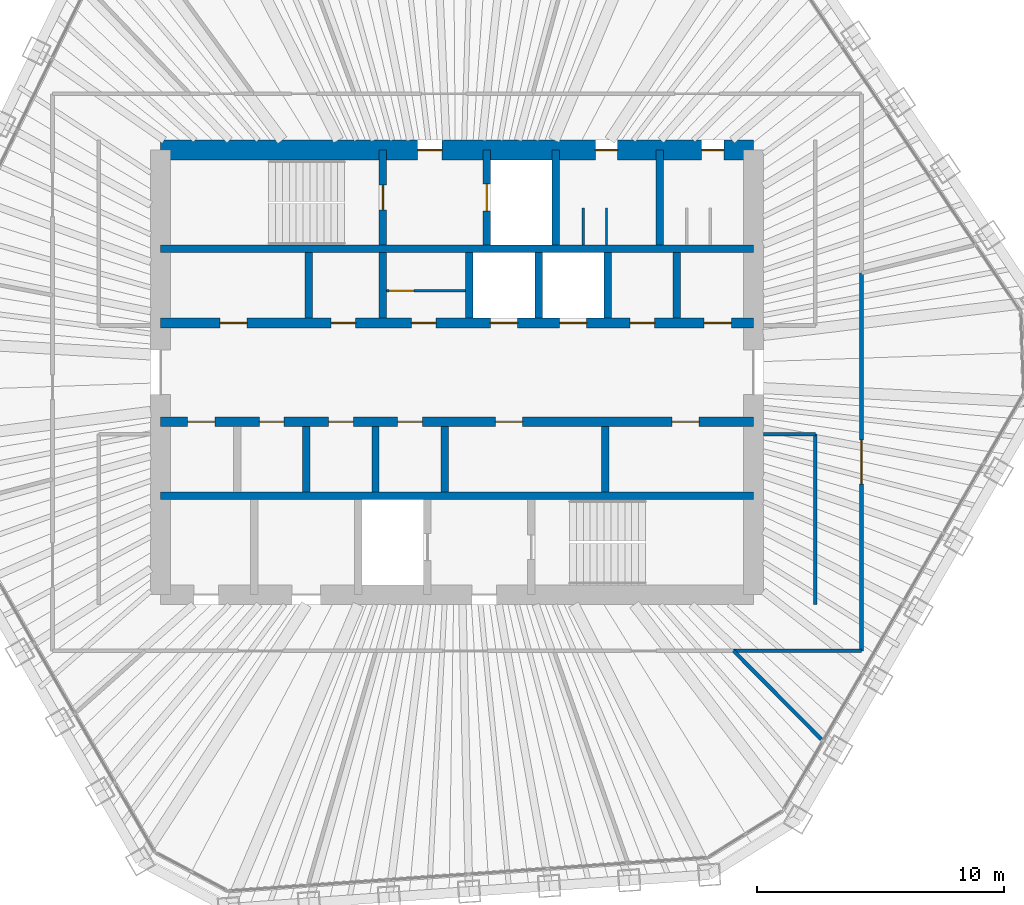
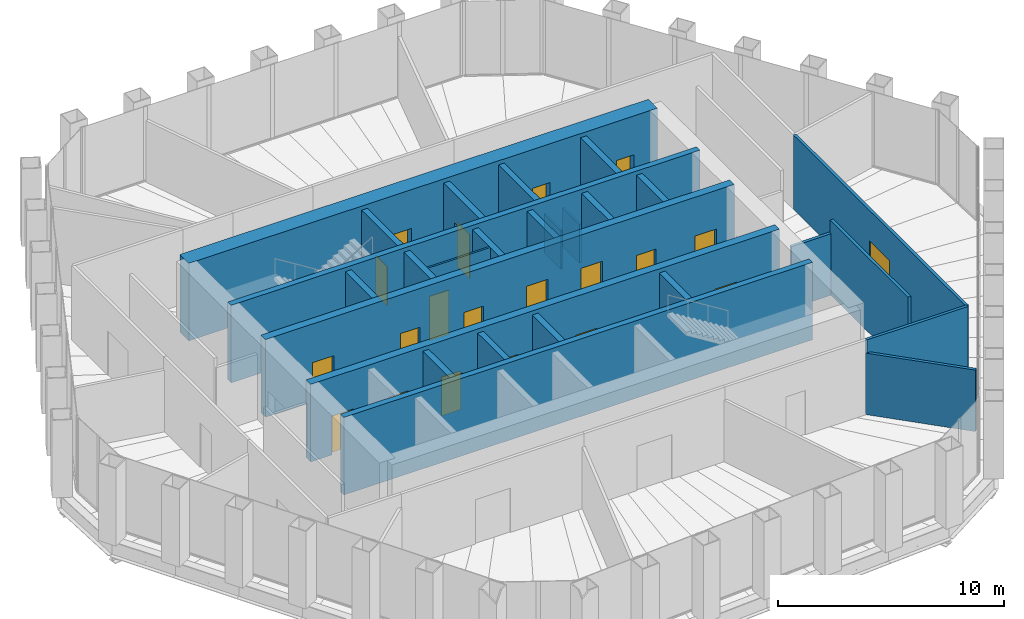
# One storey, part 12 of 14: 27 walls, 20 doors, 20 openings.
"""IFC4 building model written with IfcOpenShell, lengths in metres."""

from ifc_helpers import new_model, si_unit, direction, frame, frame_2d, origin, place, context, subcontext, project, spatial, rectangle, extrude, material, layer, layer_set, type_object, element, fill, save


model = new_model("IFC4")

# Units and contexts
model_context = context("Model", 3, precision=1e-05, world=origin(), true_north=direction((0.0, 1.0)))
body_context = subcontext(model_context, "Body", "Model", "MODEL_VIEW")
ifc_project = project(units=[si_unit("LENGTHUNIT", "METRE"), si_unit("AREAUNIT", "SQUARE_METRE"), si_unit("VOLUMEUNIT", "CUBIC_METRE"), si_unit("PLANEANGLEUNIT", "RADIAN"), si_unit("MASSUNIT", "GRAM", prefix="KILO")], contexts=[model_context])

# Site, building, storey
site_placement = place(None, origin())
site = spatial("IfcSite", under=ifc_project, at=site_placement, CompositionType="ELEMENT")
building_placement = place(site_placement, origin())
building = spatial("IfcBuilding", under=site, at=building_placement, Name="Qingtian Harvest Tower", CompositionType="ELEMENT")
storey_placement = place(building_placement, frame((0.0, 0.0, 320.800048828125)))
storey = spatial("IfcBuildingStorey", under=building, at=storey_placement, Name="L71", CompositionType="ELEMENT", Elevation=320.800048828125)

# Walls
ifc_material_1 = material(Name="Concrete fc' 70 MPa", Category="concrete")
ifc_layer_1 = layer(ifc_material_1, 0.300048828125)
ifc_layer_set_1 = layer_set([ifc_layer_1], Name="Core inner wall RC5 300")
wall_type_1 = type_object("IfcWallType", Name="Core inner wall RC5 300", PredefinedType="SHEAR", material=ifc_layer_set_1)
for number, where, z_axis, x_axis, name in (
    (1, (-12.0, 5.0, 0.0), (0.0, 0.0, 1.0), (1.0, 0.0, 0.0), "Core wall IN5 L71"),
    (2, (-12.0, -5.0, 0.0), (0.0, 0.0, 1.0), (1.0, 0.0, 0.0), "Core wall IS5 L71"),
):
    element("IfcWall", number, at=place(storey_placement, frame(where, z_axis=z_axis, x_axis=x_axis)), inside=storey, type_object=wall_type_1, Name=name, PredefinedType="SHEAR", context=body_context, shape_type="SweptSolid", body=[
        extrude(rectangle(XDim=24.0, YDim=0.300048828125, at=frame_2d((12.0, 0.0))), origin(), (0.0, 0.0, 1.0), 4.199951171875),
    ])

# Wall, openings, doors
ifc_material_2 = material(Name="Concrete fc' 70 MPa", Category="concrete")
ifc_layer_2 = layer(ifc_material_2, 0.39990234375)
ifc_layer_set_2 = layer_set([ifc_layer_2], Name="Core inner web RC6 400")
wall_type_2 = type_object("IfcWallType", Name="Core inner web RC6 400", PredefinedType="SHEAR", material=ifc_layer_set_2)
wall_1_placement = place(storey_placement, frame((-12.0, 2.0, 0.0), z_axis=(0.0, 0.0, 1.0), x_axis=(1.0, 0.0, 0.0)))
wall_1 = element("IfcWall", 3, at=wall_1_placement, inside=storey, type_object=wall_type_2, Name="Core wall IN2 L71", PredefinedType="SHEAR", context=body_context, shape_type="SweptSolid", body=[
    extrude(rectangle(XDim=24.0, YDim=0.39990234375, at=frame_2d((12.0, 0.0))), origin(), (0.0, 0.0, 1.0), 4.199951171875),
])
opening_1_placement = place(wall_1_placement, frame((2.39990234375, 0.0, 0.0)))
opening_1 = element("IfcOpeningElement", 4, at=opening_1_placement, cuts=wall_1, Name="Opening FD4", PredefinedType="OPENING", context=body_context, shape_type="SweptSolid", body=[
    extrude(rectangle(XDim=1.10009765625, YDim=2.10009765625, at=frame_2d((0.550048828125, 1.050048828125))), frame((0.0, 0.2099609375, 0.0), z_axis=(0.0, -1.0, 0.0), x_axis=(1.0, 0.0, 0.0)), (0.0, 0.0, 1.0), 0.419921875),
])
opening_2_placement = place(wall_1_placement, frame((22.0, 0.0, 0.0)))
opening_2 = element("IfcOpeningElement", 5, at=opening_2_placement, cuts=wall_1, Name="Opening FD4", PredefinedType="OPENING", context=body_context, shape_type="SweptSolid", body=[
    extrude(rectangle(XDim=1.10009765625, YDim=2.10009765625, at=frame_2d((0.550048828125, 1.050048828125))), frame((0.0, 0.2099609375, 0.0), z_axis=(0.0, -1.0, 0.0), x_axis=(1.0, 0.0, 0.0)), (0.0, 0.0, 1.0), 0.419921875),
])
opening_3_placement = place(wall_1_placement, frame((10.14990234375, 0.0, 0.0)))
opening_3 = element("IfcOpeningElement", 6, at=opening_3_placement, cuts=wall_1, Name="Opening FD1", PredefinedType="OPENING", context=body_context, shape_type="SweptSolid", body=[
    extrude(rectangle(XDim=1.0, YDim=2.10009765625, at=frame_2d((0.5, 1.050048828125))), frame((0.0, 0.2099609375, 0.0), z_axis=(0.0, -1.0, 0.0), x_axis=(1.0, 0.0, 0.0)), (0.0, 0.0, 1.0), 0.419921875),
])
opening_4_placement = place(wall_1_placement, frame((6.89990234375, 0.0, 0.0)))
opening_4 = element("IfcOpeningElement", 7, at=opening_4_placement, cuts=wall_1, Name="Opening FD1", PredefinedType="OPENING", context=body_context, shape_type="SweptSolid", body=[
    extrude(rectangle(XDim=1.0, YDim=2.10009765625, at=frame_2d((0.5, 1.050048828125))), frame((0.0, 0.2099609375, 0.0), z_axis=(0.0, -1.0, 0.0), x_axis=(1.0, 0.0, 0.0)), (0.0, 0.0, 1.0), 0.419921875),
])
opening_5_placement = place(wall_1_placement, frame((13.35009765625, 0.0, 0.0)))
opening_5 = element("IfcOpeningElement", 8, at=opening_5_placement, cuts=wall_1, Name="Opening LD1", PredefinedType="OPENING", context=body_context, shape_type="SweptSolid", body=[
    extrude(rectangle(XDim=1.10009765625, YDim=2.39990234375, at=frame_2d((0.550048828125, 1.199951171875))), frame((0.0, 0.2099609375, 0.0), z_axis=(0.0, -1.0, 0.0), x_axis=(1.0, 0.0, 0.0)), (0.0, 0.0, 1.0), 0.419921875),
])
opening_6_placement = place(wall_1_placement, frame((16.14990234375, 0.0, 0.0)))
opening_6 = element("IfcOpeningElement", 9, at=opening_6_placement, cuts=wall_1, Name="Opening LD1", PredefinedType="OPENING", context=body_context, shape_type="SweptSolid", body=[
    extrude(rectangle(XDim=1.10009765625, YDim=2.39990234375, at=frame_2d((0.550048828125, 1.199951171875))), frame((0.0, 0.2099609375, 0.0), z_axis=(0.0, -1.0, 0.0), x_axis=(1.0, 0.0, 0.0)), (0.0, 0.0, 1.0), 0.419921875),
])
opening_7_placement = place(wall_1_placement, frame((19.0, 0.0, 0.0)))
opening_7 = element("IfcOpeningElement", 10, at=opening_7_placement, cuts=wall_1, Name="Opening FD1", PredefinedType="OPENING", context=body_context, shape_type="SweptSolid", body=[
    extrude(rectangle(XDim=1.0, YDim=2.10009765625, at=frame_2d((0.5, 1.050048828125))), frame((0.0, 0.2099609375, 0.0), z_axis=(0.0, -1.0, 0.0), x_axis=(1.0, 0.0, 0.0)), (0.0, 0.0, 1.0), 0.419921875),
])
ifc_material_3 = material(Name="Steel-faced door leaf", Category="steel")
door_type_1 = type_object("IfcDoorType", Name="Fire door FD1 single 1 HR", OperationType="SINGLE_SWING_LEFT", PredefinedType="DOOR", material=ifc_material_3)
door_1_placement = place(opening_3_placement, origin())
door_1 = element("IfcDoor", 11, at=door_1_placement, inside=storey, type_object=door_type_1, Name="STA door L71", OperationType="SINGLE_SWING_LEFT", OverallHeight=2.10009765625, OverallWidth=1.0, PredefinedType="DOOR", context=body_context, shape_type="SweptSolid", body=[
    extrude(rectangle(XDim=1.0, YDim=2.10009765625, at=frame_2d((0.5, 1.050048828125))), frame((0.0, 0.02490234375, 0.0), z_axis=(0.0, -1.0, 0.0), x_axis=(1.0, 0.0, 0.0)), (0.0, 0.0, 1.0), 0.050048828125),
])
fill(opening_3, door_1)
door_2_placement = place(opening_4_placement, origin())
door_2 = element("IfcDoor", 12, at=door_2_placement, inside=storey, type_object=door_type_1, Name="Pantry door L71", OperationType="SINGLE_SWING_RIGHT", OverallHeight=2.10009765625, OverallWidth=1.0, PredefinedType="DOOR", context=body_context, shape_type="SweptSolid", body=[
    extrude(rectangle(XDim=1.0, YDim=2.10009765625, at=frame_2d((0.5, 1.050048828125))), frame((0.0, 0.02490234375, 0.0), z_axis=(0.0, -1.0, 0.0), x_axis=(1.0, 0.0, 0.0)), (0.0, 0.0, 1.0), 0.050048828125),
])
fill(opening_4, door_2)
door_3_placement = place(opening_7_placement, origin())
door_3 = element("IfcDoor", 13, at=door_3_placement, inside=storey, type_object=door_type_1, Name="Tool store door L71", OperationType="SINGLE_SWING_RIGHT", OverallHeight=2.10009765625, OverallWidth=1.0, PredefinedType="DOOR", context=body_context, shape_type="SweptSolid", body=[
    extrude(rectangle(XDim=1.0, YDim=2.10009765625, at=frame_2d((0.5, 1.050048828125))), frame((0.0, 0.02490234375, 0.0), z_axis=(0.0, -1.0, 0.0), x_axis=(1.0, 0.0, 0.0)), (0.0, 0.0, 1.0), 0.050048828125),
])
fill(opening_7, door_3)
ifc_material_4 = material(Name="Steel-faced door leaf", Category="steel")
door_type_2 = type_object("IfcDoorType", Name="Fire door FD4 single 2 HR", OperationType="SINGLE_SWING_LEFT", PredefinedType="DOOR", material=ifc_material_4)
door_4_placement = place(opening_1_placement, origin())
door_4 = element("IfcDoor", 14, at=door_4_placement, inside=storey, type_object=door_type_2, Name="RA door L71", OperationType="SINGLE_SWING_LEFT", OverallHeight=2.10009765625, OverallWidth=1.10009765625, PredefinedType="DOOR", context=body_context, shape_type="SweptSolid", body=[
    extrude(rectangle(XDim=1.10009765625, YDim=2.10009765625, at=frame_2d((0.550048828125, 1.050048828125))), frame((0.0, 0.02490234375, 0.0), z_axis=(0.0, -1.0, 0.0), x_axis=(1.0, 0.0, 0.0)), (0.0, 0.0, 1.0), 0.050048828125),
])
fill(opening_1, door_4)
door_5_placement = place(opening_2_placement, origin())
door_5 = element("IfcDoor", 15, at=door_5_placement, inside=storey, type_object=door_type_2, Name="AHU door L71", OperationType="SINGLE_SWING_RIGHT", OverallHeight=2.10009765625, OverallWidth=1.10009765625, PredefinedType="DOOR", context=body_context, shape_type="SweptSolid", body=[
    extrude(rectangle(XDim=1.10009765625, YDim=2.10009765625, at=frame_2d((0.550048828125, 1.050048828125))), frame((0.0, 0.02490234375, 0.0), z_axis=(0.0, -1.0, 0.0), x_axis=(1.0, 0.0, 0.0)), (0.0, 0.0, 1.0), 0.050048828125),
])
fill(opening_2, door_5)
ifc_material_5 = material(Name="Stainless steel lift landing door", Category="steel")
door_type_3 = type_object("IfcDoorType", Name="Lift landing door LD1 1 HR", OperationType="DOUBLE_DOOR_SLIDING", PredefinedType="DOOR", material=ifc_material_5)
door_6_placement = place(opening_5_placement, origin())
door_6 = element("IfcDoor", 16, at=door_6_placement, inside=storey, type_object=door_type_3, Name="PLD1 landing door L71", OperationType="DOUBLE_DOOR_SLIDING", OverallHeight=2.39990234375, OverallWidth=1.10009765625, PredefinedType="DOOR", context=body_context, shape_type="SweptSolid", body=[
    extrude(rectangle(XDim=1.10009765625, YDim=2.39990234375, at=frame_2d((0.550048828125, 1.199951171875))), frame((0.0, 0.02490234375, 0.0), z_axis=(0.0, -1.0, 0.0), x_axis=(1.0, 0.0, 0.0)), (0.0, 0.0, 1.0), 0.050048828125),
])
fill(opening_5, door_6)
door_7_placement = place(opening_6_placement, origin())
door_7 = element("IfcDoor", 17, at=door_7_placement, inside=storey, type_object=door_type_3, Name="PLD2 landing door L71", OperationType="DOUBLE_DOOR_SLIDING", OverallHeight=2.39990234375, OverallWidth=1.10009765625, PredefinedType="DOOR", context=body_context, shape_type="SweptSolid", body=[
    extrude(rectangle(XDim=1.10009765625, YDim=2.39990234375, at=frame_2d((0.550048828125, 1.199951171875))), frame((0.0, 0.02490234375, 0.0), z_axis=(0.0, -1.0, 0.0), x_axis=(1.0, 0.0, 0.0)), (0.0, 0.0, 1.0), 0.050048828125),
])
fill(opening_6, door_7)

wall_2_placement = place(storey_placement, frame((-12.0, -2.0, 0.0), z_axis=(0.0, 0.0, 1.0), x_axis=(1.0, 0.0, 0.0)))
wall_2 = element("IfcWall", 18, at=wall_2_placement, inside=storey, type_object=wall_type_2, Name="Core wall IS2 L71", PredefinedType="SHEAR", context=body_context, shape_type="SweptSolid", body=[
    extrude(rectangle(XDim=24.0, YDim=0.39990234375, at=frame_2d((12.0, 0.0))), origin(), (0.0, 0.0, 1.0), 4.199951171875),
])
opening_8_placement = place(wall_2_placement, frame((1.10009765625, 0.0, 0.0)))
opening_8 = element("IfcOpeningElement", 19, at=opening_8_placement, cuts=wall_2, Name="Opening FD4", PredefinedType="OPENING", context=body_context, shape_type="SweptSolid", body=[
    extrude(rectangle(XDim=1.10009765625, YDim=2.10009765625, at=frame_2d((0.550048828125, 1.050048828125))), frame((0.0, 0.2099609375, 0.0), z_axis=(0.0, -1.0, 0.0), x_axis=(1.0, 0.0, 0.0)), (0.0, 0.0, 1.0), 0.419921875),
])
opening_9_placement = place(wall_2_placement, frame((13.550048828125, 0.0, 0.0)))
opening_9 = element("IfcOpeningElement", 20, at=opening_9_placement, cuts=wall_2, Name="Opening FD4", PredefinedType="OPENING", context=body_context, shape_type="SweptSolid", body=[
    extrude(rectangle(XDim=1.10009765625, YDim=2.10009765625, at=frame_2d((0.550048828125, 1.050048828125))), frame((0.0, 0.2099609375, 0.0), z_axis=(0.0, -1.0, 0.0), x_axis=(1.0, 0.0, 0.0)), (0.0, 0.0, 1.0), 0.419921875),
])
opening_10_placement = place(wall_2_placement, frame((20.699951171875, 0.0, 0.0)))
opening_10 = element("IfcOpeningElement", 21, at=opening_10_placement, cuts=wall_2, Name="Opening FD4", PredefinedType="OPENING", context=body_context, shape_type="SweptSolid", body=[
    extrude(rectangle(XDim=1.10009765625, YDim=2.10009765625, at=frame_2d((0.550048828125, 1.050048828125))), frame((0.0, 0.2099609375, 0.0), z_axis=(0.0, -1.0, 0.0), x_axis=(1.0, 0.0, 0.0)), (0.0, 0.0, 1.0), 0.419921875),
])
opening_11_placement = place(wall_2_placement, frame((4.0, 0.0, 0.0)))
opening_11 = element("IfcOpeningElement", 22, at=opening_11_placement, cuts=wall_2, Name="Opening FD1", PredefinedType="OPENING", context=body_context, shape_type="SweptSolid", body=[
    extrude(rectangle(XDim=1.0, YDim=2.10009765625, at=frame_2d((0.5, 1.050048828125))), frame((0.0, 0.2099609375, 0.0), z_axis=(0.0, -1.0, 0.0), x_axis=(1.0, 0.0, 0.0)), (0.0, 0.0, 1.0), 0.419921875),
])
opening_12_placement = place(wall_2_placement, frame((6.800048828125, 0.0, 0.0)))
opening_12 = element("IfcOpeningElement", 23, at=opening_12_placement, cuts=wall_2, Name="Opening FD1", PredefinedType="OPENING", context=body_context, shape_type="SweptSolid", body=[
    extrude(rectangle(XDim=1.0, YDim=2.10009765625, at=frame_2d((0.5, 1.050048828125))), frame((0.0, 0.2099609375, 0.0), z_axis=(0.0, -1.0, 0.0), x_axis=(1.0, 0.0, 0.0)), (0.0, 0.0, 1.0), 0.419921875),
])
opening_13_placement = place(wall_2_placement, frame((9.60009765625, 0.0, 0.0)))
opening_13 = element("IfcOpeningElement", 24, at=opening_13_placement, cuts=wall_2, Name="Opening FD1", PredefinedType="OPENING", context=body_context, shape_type="SweptSolid", body=[
    extrude(rectangle(XDim=1.0, YDim=2.10009765625, at=frame_2d((0.5, 1.050048828125))), frame((0.0, 0.2099609375, 0.0), z_axis=(0.0, -1.0, 0.0), x_axis=(1.0, 0.0, 0.0)), (0.0, 0.0, 1.0), 0.419921875),
])
door_8_placement = place(opening_11_placement, origin())
door_8 = element("IfcDoor", 25, at=door_8_placement, inside=storey, type_object=door_type_1, Name="IT room door L71", OperationType="SINGLE_SWING_RIGHT", OverallHeight=2.10009765625, OverallWidth=1.0, PredefinedType="DOOR", context=body_context, shape_type="SweptSolid", body=[
    extrude(rectangle(XDim=1.0, YDim=2.10009765625, at=frame_2d((0.5, 1.050048828125))), frame((0.0, 0.02490234375, 0.0), z_axis=(0.0, -1.0, 0.0), x_axis=(1.0, 0.0, 0.0)), (0.0, 0.0, 1.0), 0.050048828125),
])
fill(opening_11, door_8)
door_9_placement = place(opening_12_placement, origin())
door_9 = element("IfcDoor", 26, at=door_9_placement, inside=storey, type_object=door_type_1, Name="Store door L71", OperationType="SINGLE_SWING_RIGHT", OverallHeight=2.10009765625, OverallWidth=1.0, PredefinedType="DOOR", context=body_context, shape_type="SweptSolid", body=[
    extrude(rectangle(XDim=1.0, YDim=2.10009765625, at=frame_2d((0.5, 1.050048828125))), frame((0.0, 0.02490234375, 0.0), z_axis=(0.0, -1.0, 0.0), x_axis=(1.0, 0.0, 0.0)), (0.0, 0.0, 1.0), 0.050048828125),
])
fill(opening_12, door_9)
door_10_placement = place(opening_13_placement, origin())
door_10 = element("IfcDoor", 27, at=door_10_placement, inside=storey, type_object=door_type_1, Name="Staff WC door L71", OperationType="SINGLE_SWING_RIGHT", OverallHeight=2.10009765625, OverallWidth=1.0, PredefinedType="DOOR", context=body_context, shape_type="SweptSolid", body=[
    extrude(rectangle(XDim=1.0, YDim=2.10009765625, at=frame_2d((0.5, 1.050048828125))), frame((0.0, 0.02490234375, 0.0), z_axis=(0.0, -1.0, 0.0), x_axis=(1.0, 0.0, 0.0)), (0.0, 0.0, 1.0), 0.050048828125),
])
fill(opening_13, door_10)
door_11_placement = place(opening_8_placement, origin())
door_11 = element("IfcDoor", 28, at=door_11_placement, inside=storey, type_object=door_type_2, Name="RB door L71", OperationType="SINGLE_SWING_LEFT", OverallHeight=2.10009765625, OverallWidth=1.10009765625, PredefinedType="DOOR", context=body_context, shape_type="SweptSolid", body=[
    extrude(rectangle(XDim=1.10009765625, YDim=2.10009765625, at=frame_2d((0.550048828125, 1.050048828125))), frame((0.0, 0.02490234375, 0.0), z_axis=(0.0, -1.0, 0.0), x_axis=(1.0, 0.0, 0.0)), (0.0, 0.0, 1.0), 0.050048828125),
])
fill(opening_8, door_11)
door_12_placement = place(opening_9_placement, origin())
door_12 = element("IfcDoor", 29, at=door_12_placement, inside=storey, type_object=door_type_2, Name="ELEC door L71", OperationType="SINGLE_SWING_LEFT", OverallHeight=2.10009765625, OverallWidth=1.10009765625, PredefinedType="DOOR", context=body_context, shape_type="SweptSolid", body=[
    extrude(rectangle(XDim=1.10009765625, YDim=2.10009765625, at=frame_2d((0.550048828125, 1.050048828125))), frame((0.0, 0.02490234375, 0.0), z_axis=(0.0, -1.0, 0.0), x_axis=(1.0, 0.0, 0.0)), (0.0, 0.0, 1.0), 0.050048828125),
])
fill(opening_9, door_12)
door_13_placement = place(opening_10_placement, origin())
door_13 = element("IfcDoor", 30, at=door_13_placement, inside=storey, type_object=door_type_2, Name="DUCT door L71", OperationType="SINGLE_SWING_RIGHT", OverallHeight=2.10009765625, OverallWidth=1.10009765625, PredefinedType="DOOR", context=body_context, shape_type="SweptSolid", body=[
    extrude(rectangle(XDim=1.10009765625, YDim=2.10009765625, at=frame_2d((0.550048828125, 1.050048828125))), frame((0.0, 0.02490234375, 0.0), z_axis=(0.0, -1.0, 0.0), x_axis=(1.0, 0.0, 0.0)), (0.0, 0.0, 1.0), 0.050048828125),
])
fill(opening_10, door_13)

# Wall, opening, door
ifc_material_6 = material(Name="Precast concrete shaft panel", Category="concrete")
ifc_layer_3 = layer(ifc_material_6, 0.300048828125)
ifc_layer_set_3 = layer_set([ifc_layer_3], Name="Core shaft partition SW1 300")
wall_type_3 = type_object("IfcWallType", Name="Core shaft partition SW1 300", PredefinedType="PARTITIONING", material=ifc_layer_set_3)
wall_3_placement = place(storey_placement, frame((-3.0, 5.14990234375, 0.0), z_axis=(0.0, 0.0, 1.0), x_axis=(0.0, 1.0, 0.0)))
wall_3 = element("IfcWall", 31, at=wall_3_placement, inside=storey, type_object=wall_type_3, Name="Core shaft partition XN1 L71", PredefinedType="PARTITIONING", context=body_context, shape_type="SweptSolid", body=[
    extrude(rectangle(XDim=3.85009765625, YDim=0.300048828125, at=frame_2d((1.925048828125, 0.0))), origin(), (0.0, 0.0, 1.0), 3.97998046875),
])
opening_14_placement = place(wall_3_placement, frame((1.425048828125, 0.0, 0.0)))
opening_14 = element("IfcOpeningElement", 32, at=opening_14_placement, cuts=wall_3, Name="Opening FD1", PredefinedType="OPENING", context=body_context, shape_type="SweptSolid", body=[
    extrude(rectangle(XDim=1.0, YDim=2.10009765625, at=frame_2d((0.5, 1.050048828125))), frame((0.0, 0.159912109375, 0.0), z_axis=(0.0, -1.0, 0.0), x_axis=(1.0, 0.0, 0.0)), (0.0, 0.0, 1.0), 0.320068359375),
])
door_14_placement = place(opening_14_placement, origin())
door_14 = element("IfcDoor", 33, at=door_14_placement, inside=storey, type_object=door_type_1, Name="S1 door L71", OperationType="SINGLE_SWING_RIGHT", OverallHeight=2.10009765625, OverallWidth=1.0, PredefinedType="DOOR", context=body_context, shape_type="SweptSolid", body=[
    extrude(rectangle(XDim=1.0, YDim=2.10009765625, at=frame_2d((0.5, 1.050048828125))), frame((0.0, 0.02490234375, 0.0), z_axis=(0.0, -1.0, 0.0), x_axis=(1.0, 0.0, 0.0)), (0.0, 0.0, 1.0), 0.050048828125),
])
fill(opening_14, door_14)

wall_4_placement = place(storey_placement, frame((1.199951171875, 5.14990234375, 0.0), z_axis=(0.0, 0.0, 1.0), x_axis=(0.0, 1.0, 0.0)))
wall_4 = element("IfcWall", 34, at=wall_4_placement, inside=storey, type_object=wall_type_3, Name="Core shaft partition XN2 L71", PredefinedType="PARTITIONING", context=body_context, shape_type="SweptSolid", body=[
    extrude(rectangle(XDim=3.85009765625, YDim=0.300048828125, at=frame_2d((1.925048828125, 0.0))), origin(), (0.0, 0.0, 1.0), 3.97998046875),
])
opening_15_placement = place(wall_4_placement, frame((1.375, 0.0, 0.0)))
opening_15 = element("IfcOpeningElement", 35, at=opening_15_placement, cuts=wall_4, Name="Opening LD1", PredefinedType="OPENING", context=body_context, shape_type="SweptSolid", body=[
    extrude(rectangle(XDim=1.10009765625, YDim=2.39990234375, at=frame_2d((0.550048828125, 1.199951171875))), frame((0.0, 0.159912109375, 0.0), z_axis=(0.0, -1.0, 0.0), x_axis=(1.0, 0.0, 0.0)), (0.0, 0.0, 1.0), 0.320068359375),
])
door_15_placement = place(opening_15_placement, origin())
door_15 = element("IfcDoor", 36, at=door_15_placement, inside=storey, type_object=door_type_3, Name="FL1 landing door L71", OperationType="DOUBLE_DOOR_SLIDING", OverallHeight=2.39990234375, OverallWidth=1.10009765625, PredefinedType="DOOR", context=body_context, shape_type="SweptSolid", body=[
    extrude(rectangle(XDim=1.10009765625, YDim=2.39990234375, at=frame_2d((0.550048828125, 1.199951171875))), frame((0.0, 0.02490234375, 0.0), z_axis=(0.0, -1.0, 0.0), x_axis=(1.0, 0.0, 0.0)), (0.0, 0.0, 1.0), 0.050048828125),
])
fill(opening_15, door_15)

# Walls
for number, where, z_axis, x_axis, name in (
    (37, (4.0, 5.14990234375, 0.0), (0.0, 0.0, 1.0), (0.0, 1.0, 0.0), "Core shaft partition XN3 L71"),
    (38, (8.199951171875, 5.14990234375, 0.0), (0.0, 0.0, 1.0), (0.0, 1.0, 0.0), "Core shaft partition XN4 L71"),
):
    element("IfcWall", number, at=place(storey_placement, frame(where, z_axis=z_axis, x_axis=x_axis)), inside=storey, type_object=wall_type_3, Name=name, PredefinedType="PARTITIONING", context=body_context, shape_type="SweptSolid", body=[
        extrude(rectangle(XDim=3.85009765625, YDim=0.300048828125, at=frame_2d((1.925048828125, 0.0))), origin(), (0.0, 0.0, 1.0), 3.97998046875),
    ])
for number, where, z_axis, x_axis, name in (
    (39, (-6.0, 2.199951171875, 0.0), (0.0, 0.0, 1.0), (0.0, 1.0, 0.0), "Core shaft partition XA1 L71"),
    (40, (-3.0, 2.199951171875, 0.0), (0.0, 0.0, 1.0), (0.0, 1.0, 0.0), "Core shaft partition XA2 L71"),
    (41, (0.5, 2.199951171875, 0.0), (0.0, 0.0, 1.0), (0.0, 1.0, 0.0), "Core shaft partition XA3 L71"),
    (42, (3.300048828125, 2.199951171875, 0.0), (0.0, 0.0, 1.0), (0.0, 1.0, 0.0), "Core shaft partition XA4 L71"),
    (43, (6.10009765625, 2.199951171875, 0.0), (0.0, 0.0, 1.0), (0.0, 1.0, 0.0), "Core shaft partition XA5 L71"),
    (44, (8.89990234375, 2.199951171875, 0.0), (0.0, 0.0, 1.0), (0.0, 1.0, 0.0), "Core shaft partition XA6 L71"),
    (45, (-6.10009765625, -4.85009765625, 0.0), (0.0, 0.0, 1.0), (0.0, 1.0, 0.0), "Core shaft partition XB2 L71"),
    (46, (-3.300048828125, -4.85009765625, 0.0), (0.0, 0.0, 1.0), (0.0, 1.0, 0.0), "Core shaft partition XB3 L71"),
    (47, (-0.5, -4.85009765625, 0.0), (0.0, 0.0, 1.0), (0.0, 1.0, 0.0), "Core shaft partition XB4 L71"),
    (48, (6.0, -4.85009765625, 0.0), (0.0, 0.0, 1.0), (0.0, 1.0, 0.0), "Core shaft partition XB5 L71"),
):
    element("IfcWall", number, at=place(storey_placement, frame(where, z_axis=z_axis, x_axis=x_axis)), inside=storey, type_object=wall_type_3, Name=name, PredefinedType="PARTITIONING", context=body_context, shape_type="SweptSolid", body=[
        extrude(rectangle(XDim=2.650146484375, YDim=0.300048828125, at=frame_2d((1.3251953125, 0.0))), origin(), (0.0, 0.0, 1.0), 3.97998046875),
    ])

# Wall, openings, doors
ifc_material_7 = material(Name="Concrete fc' 70 MPa", Category="concrete")
ifc_layer_4 = layer(ifc_material_7, 0.800048828125)
ifc_layer_set_4 = layer_set([ifc_layer_4], Name="Core wall RC4 800")
wall_type_4 = type_object("IfcWallType", Name="Core wall RC4 800", PredefinedType="SHEAR", material=ifc_layer_set_4)
wall_5_placement = place(storey_placement, frame((-12.0, 9.0, 0.0), z_axis=(0.0, 0.0, 1.0), x_axis=(1.0, 0.0, 0.0)))
wall_5 = element("IfcWall", 49, at=wall_5_placement, inside=storey, type_object=wall_type_4, Name="Core wall CN L71", PredefinedType="SHEAR", context=body_context, shape_type="SweptSolid", body=[
    extrude(rectangle(XDim=24.0, YDim=0.800048828125, at=frame_2d((12.0, 0.0))), origin(), (0.0, 0.0, 1.0), 4.199951171875),
])
opening_16_placement = place(wall_5_placement, frame((10.39990234375, 0.0, 0.0)))
opening_16 = element("IfcOpeningElement", 50, at=opening_16_placement, cuts=wall_5, Name="Opening FD1", PredefinedType="OPENING", context=body_context, shape_type="SweptSolid", body=[
    extrude(rectangle(XDim=1.0, YDim=2.10009765625, at=frame_2d((0.5, 1.050048828125))), frame((0.0, 0.409912109375, 0.0), z_axis=(0.0, -1.0, 0.0), x_axis=(1.0, 0.0, 0.0)), (0.0, 0.0, 1.0), 0.820068359375),
])
opening_17_placement = place(wall_5_placement, frame((17.60009765625, 0.0, 0.0)))
opening_17 = element("IfcOpeningElement", 51, at=opening_17_placement, cuts=wall_5, Name="Opening D1", PredefinedType="OPENING", context=body_context, shape_type="SweptSolid", body=[
    extrude(rectangle(XDim=0.89990234375, YDim=2.10009765625, at=frame_2d((0.449951171875, 1.050048828125))), frame((0.0, 0.409912109375, 0.0), z_axis=(0.0, -1.0, 0.0), x_axis=(1.0, 0.0, 0.0)), (0.0, 0.0, 1.0), 0.820068359375),
])
opening_18_placement = place(wall_5_placement, frame((21.89990234375, 0.0, 0.0)))
opening_18 = element("IfcOpeningElement", 52, at=opening_18_placement, cuts=wall_5, Name="Opening D1", PredefinedType="OPENING", context=body_context, shape_type="SweptSolid", body=[
    extrude(rectangle(XDim=0.89990234375, YDim=2.10009765625, at=frame_2d((0.449951171875, 1.050048828125))), frame((0.0, 0.409912109375, 0.0), z_axis=(0.0, -1.0, 0.0), x_axis=(1.0, 0.0, 0.0)), (0.0, 0.0, 1.0), 0.820068359375),
])
door_16_placement = place(opening_16_placement, origin())
door_16 = element("IfcDoor", 53, at=door_16_placement, inside=storey, type_object=door_type_1, Name="V1 door L71", OperationType="SINGLE_SWING_LEFT", OverallHeight=2.10009765625, OverallWidth=1.0, PredefinedType="DOOR", context=body_context, shape_type="SweptSolid", body=[
    extrude(rectangle(XDim=1.0, YDim=2.10009765625, at=frame_2d((0.5, 1.050048828125))), frame((0.0, 0.02490234375, 0.0), z_axis=(0.0, -1.0, 0.0), x_axis=(1.0, 0.0, 0.0)), (0.0, 0.0, 1.0), 0.050048828125),
])
fill(opening_16, door_16)
ifc_material_8 = material(Name="Laminated timber door leaf", Category="wood")
door_type_4 = type_object("IfcDoorType", Name="Toilet door D1 single", OperationType="SINGLE_SWING_LEFT", PredefinedType="DOOR", material=ifc_material_8)
door_17_placement = place(opening_17_placement, origin())
door_17 = element("IfcDoor", 54, at=door_17_placement, inside=storey, type_object=door_type_4, Name="WCM door L71", OperationType="SINGLE_SWING_LEFT", OverallHeight=2.10009765625, OverallWidth=0.89990234375, PredefinedType="DOOR", context=body_context, shape_type="SweptSolid", body=[
    extrude(rectangle(XDim=0.89990234375, YDim=2.10009765625, at=frame_2d((0.449951171875, 1.050048828125))), frame((0.0, 0.02490234375, 0.0), z_axis=(0.0, -1.0, 0.0), x_axis=(1.0, 0.0, 0.0)), (0.0, 0.0, 1.0), 0.050048828125),
])
fill(opening_17, door_17)
door_18_placement = place(opening_18_placement, origin())
door_18 = element("IfcDoor", 55, at=door_18_placement, inside=storey, type_object=door_type_4, Name="WCF door L71", OperationType="SINGLE_SWING_LEFT", OverallHeight=2.10009765625, OverallWidth=0.89990234375, PredefinedType="DOOR", context=body_context, shape_type="SweptSolid", body=[
    extrude(rectangle(XDim=0.89990234375, YDim=2.10009765625, at=frame_2d((0.449951171875, 1.050048828125))), frame((0.0, 0.02490234375, 0.0), z_axis=(0.0, -1.0, 0.0), x_axis=(1.0, 0.0, 0.0)), (0.0, 0.0, 1.0), 0.050048828125),
])
fill(opening_18, door_18)

# Wall, opening, door
ifc_material_9 = material(Name="Gypsum board on steel studs", Category="steel")
ifc_layer_5 = layer(ifc_material_9, 0.14990234375)
ifc_layer_set_5 = layer_set([ifc_layer_5], Name="Partition PT1 150")
wall_type_5 = type_object("IfcWallType", Name="Partition PT1 150", PredefinedType="PARTITIONING", material=ifc_layer_set_5)
wall_6_placement = place(storey_placement, frame((16.375, 4.01806640625, 0.0), z_axis=(0.0, 0.0, 1.0), x_axis=(0.0, -1.0, 0.0)))
wall_6 = element("IfcWall", 56, at=wall_6_placement, inside=storey, type_object=wall_type_5, Name="Club dining room wall L71", PredefinedType="PARTITIONING", context=body_context, shape_type="SweptSolid", body=[
    extrude(rectangle(XDim=15.29296875, YDim=0.14990234375, at=frame_2d((7.646484375, 0.0))), origin(), (0.0, 0.0, 1.0), 4.030029296875),
])
opening_19_placement = place(wall_6_placement, frame((6.74658203125, 0.0, 0.0)))
opening_19 = element("IfcOpeningElement", 57, at=opening_19_placement, cuts=wall_6, Name="Opening D3", PredefinedType="OPENING", context=body_context, shape_type="SweptSolid", body=[
    extrude(rectangle(XDim=1.800048828125, YDim=2.39990234375, at=frame_2d((0.89990234375, 1.199951171875))), frame((0.0, 0.0849609375, 0.0), z_axis=(0.0, -1.0, 0.0), x_axis=(1.0, 0.0, 0.0)), (0.0, 0.0, 1.0), 0.169921875),
])
ifc_material_10 = material(Name="Laminated timber door leaf", Category="wood")
door_type_5 = type_object("IfcDoorType", Name="Room door D3 double", OperationType="DOUBLE_DOOR_DOUBLE_SWING", PredefinedType="DOOR", material=ifc_material_10)
door_19_placement = place(opening_19_placement, origin())
door_19 = element("IfcDoor", 58, at=door_19_placement, inside=storey, type_object=door_type_5, Name="Club dining room door L71", OperationType="DOUBLE_DOOR_DOUBLE_SWING", OverallHeight=2.39990234375, OverallWidth=1.800048828125, PredefinedType="DOOR", context=body_context, shape_type="SweptSolid", body=[
    extrude(rectangle(XDim=1.800048828125, YDim=2.39990234375, at=frame_2d((0.89990234375, 1.199951171875))), frame((0.0, 0.02490234375, 0.0), z_axis=(0.0, -1.0, 0.0), x_axis=(1.0, 0.0, 0.0)), (0.0, 0.0, 1.0), 0.050048828125),
])
fill(opening_19, door_19)

# Walls
wall_7_placement = place(storey_placement, frame((16.375, -11.27490234375, 0.0), z_axis=(0.0, 0.0, 1.0), x_axis=(-1.0, 0.0, 0.0)))
element("IfcWall", 59, at=wall_7_placement, inside=storey, type_object=wall_type_5, Name="Club dining room wall L71", PredefinedType="PARTITIONING", context=body_context, shape_type="SweptSolid", body=[
    extrude(rectangle(XDim=5.180908203125, YDim=0.14990234375, at=frame_2d((2.59033203125, 0.0))), origin(), (0.0, 0.0, 1.0), 4.030029296875),
])
wall_8_placement = place(storey_placement, frame((14.7509765625, -14.857666015625, 0.0), z_axis=(0.0, 0.0, 1.0), x_axis=(-0.704539120613, 0.709665151692, 0.0)))
element("IfcWall", 60, at=wall_8_placement, inside=storey, type_object=wall_type_5, Name="Servery wall L71", PredefinedType="PARTITIONING", context=body_context, shape_type="SweptSolid", body=[
    extrude(rectangle(XDim=5.048583984375, YDim=0.14990234375, at=frame_2d((2.5244140625, 0.0))), origin(), (0.0, 0.0, 1.0), 3.329833984375),
])
wall_9_placement = place(storey_placement, frame((14.5, -9.39990234375, 0.0), z_axis=(0.0, 0.0, 1.0), x_axis=(0.0, 1.0, 0.0)))
element("IfcWall", 61, at=wall_9_placement, inside=storey, type_object=wall_type_5, Name="Print area wall L71", PredefinedType="PARTITIONING", context=body_context, shape_type="SweptSolid", body=[
    extrude(rectangle(XDim=6.89990234375, YDim=0.14990234375, at=frame_2d((3.449951171875, 0.0))), origin(), (0.0, 0.0, 1.0), 4.030029296875),
])
wall_10_placement = place(storey_placement, frame((12.39990234375, -2.5, 0.0), z_axis=(0.0, 0.0, 1.0), x_axis=(1.0, 0.0, 0.0)))
element("IfcWall", 62, at=wall_10_placement, inside=storey, type_object=wall_type_5, Name="Print area wall L71", PredefinedType="PARTITIONING", context=body_context, shape_type="SweptSolid", body=[
    extrude(rectangle(XDim=2.10009765625, YDim=0.14990234375, at=frame_2d((1.050048828125, 0.0))), origin(), (0.0, 0.0, 1.0), 3.329833984375),
])

# Wall, opening, door
ifc_material_11 = material(Name="Concrete block partition", Category="concrete")
ifc_layer_6 = layer(ifc_material_11, 0.10009765625)
ifc_layer_set_6 = layer_set([ifc_layer_6], Name="Store partition PT3 100")
wall_type_6 = type_object("IfcWallType", Name="Store partition PT3 100", PredefinedType="PARTITIONING", material=ifc_layer_set_6)
wall_11_placement = place(storey_placement, frame((-2.85009765625, 3.300048828125, 0.0), z_axis=(0.0, 0.0, 1.0), x_axis=(1.0, 0.0, 0.0)))
wall_11 = element("IfcWall", 63, at=wall_11_placement, inside=storey, type_object=wall_type_6, Name="Stationery store wall L71", PredefinedType="PARTITIONING", context=body_context, shape_type="SweptSolid", body=[
    extrude(rectangle(XDim=3.2001953125, YDim=0.10009765625, at=frame_2d((1.60009765625, 0.0))), origin(), (0.0, 0.0, 1.0), 3.97998046875),
])
opening_20_placement = place(wall_11_placement, frame((0.10009765625, 0.0, 0.0)))
opening_20 = element("IfcOpeningElement", 64, at=opening_20_placement, cuts=wall_11, Name="Opening D2", PredefinedType="OPENING", context=body_context, shape_type="SweptSolid", body=[
    extrude(rectangle(XDim=1.0, YDim=2.39990234375, at=frame_2d((0.5, 1.199951171875))), frame((0.0, 0.06005859375, 0.0), z_axis=(0.0, -1.0, 0.0), x_axis=(1.0, 0.0, 0.0)), (0.0, 0.0, 1.0), 0.1201171875),
])
ifc_material_12 = material(Name="Laminated timber door leaf", Category="wood")
door_type_6 = type_object("IfcDoorType", Name="Room door D2 single", OperationType="SINGLE_SWING_LEFT", PredefinedType="DOOR", material=ifc_material_12)
door_20_placement = place(opening_20_placement, origin())
door_20 = element("IfcDoor", 65, at=door_20_placement, inside=storey, type_object=door_type_6, Name="Stationery store door L71", OperationType="SINGLE_SWING_LEFT", OverallHeight=2.39990234375, OverallWidth=1.0, PredefinedType="DOOR", context=body_context, shape_type="SweptSolid", body=[
    extrude(rectangle(XDim=1.0, YDim=2.39990234375, at=frame_2d((0.5, 1.199951171875))), frame((0.0, 0.02490234375, 0.0), z_axis=(0.0, -1.0, 0.0), x_axis=(1.0, 0.0, 0.0)), (0.0, 0.0, 1.0), 0.050048828125),
])
fill(opening_20, door_20)

# Walls
ifc_material_13 = material(Name="Compact laminate cubicle partition", Category="plastic")
ifc_layer_7 = layer(ifc_material_13, 0.10009765625)
ifc_layer_set_7 = layer_set([ifc_layer_7], Name="WC cubicle partition WP1 100")
wall_type_7 = type_object("IfcWallType", Name="WC cubicle partition WP1 100", PredefinedType="PARTITIONING", material=ifc_layer_set_7)
for number, where, z_axis, x_axis, name in (
    (66, (5.10009765625, 5.14990234375, 0.0), (0.0, 0.0, 1.0), (0.0, 1.0, 0.0), "WC cubicle partition WCM L71"),
    (67, (6.050048828125, 5.14990234375, 0.0), (0.0, 0.0, 1.0), (0.0, 1.0, 0.0), "WC cubicle partition WCM L71"),
):
    element("IfcWall", number, at=place(storey_placement, frame(where, z_axis=z_axis, x_axis=x_axis)), inside=storey, type_object=wall_type_7, Name=name, PredefinedType="PARTITIONING", context=body_context, shape_type="SweptSolid", body=[
        extrude(rectangle(XDim=1.5, YDim=0.10009765625, at=frame_2d((0.75, 0.0))), origin(), (0.0, 0.0, 1.0), 2.099853515625),
    ])

save(model, "model.ifc")
